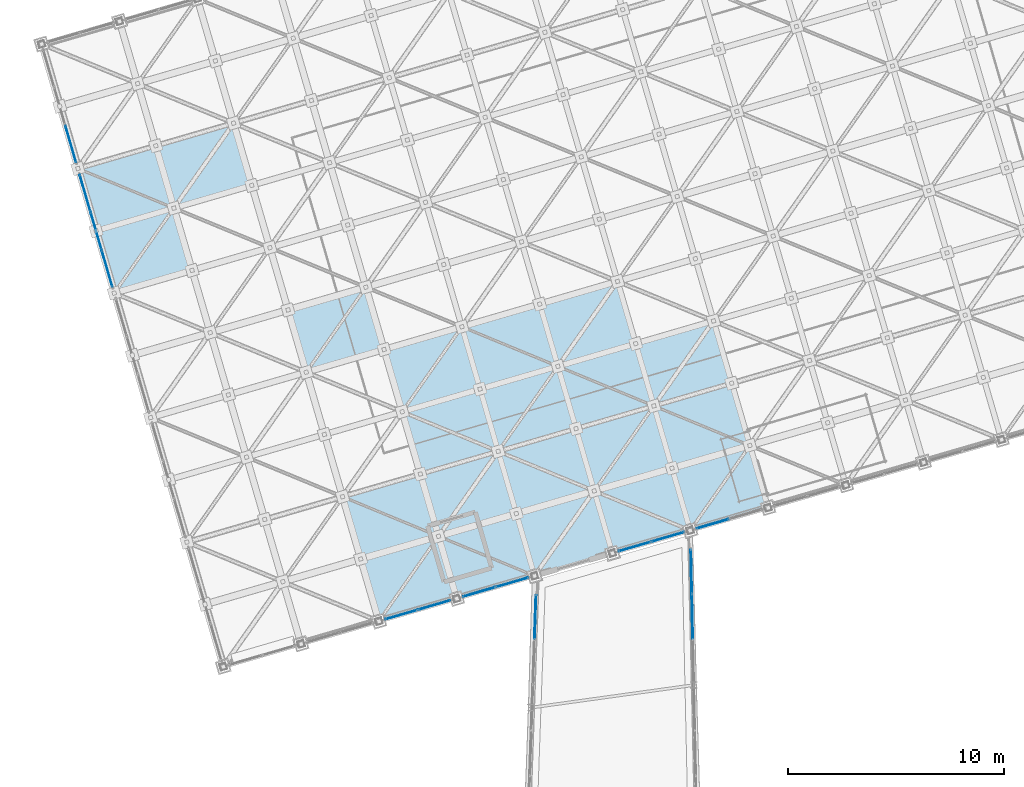
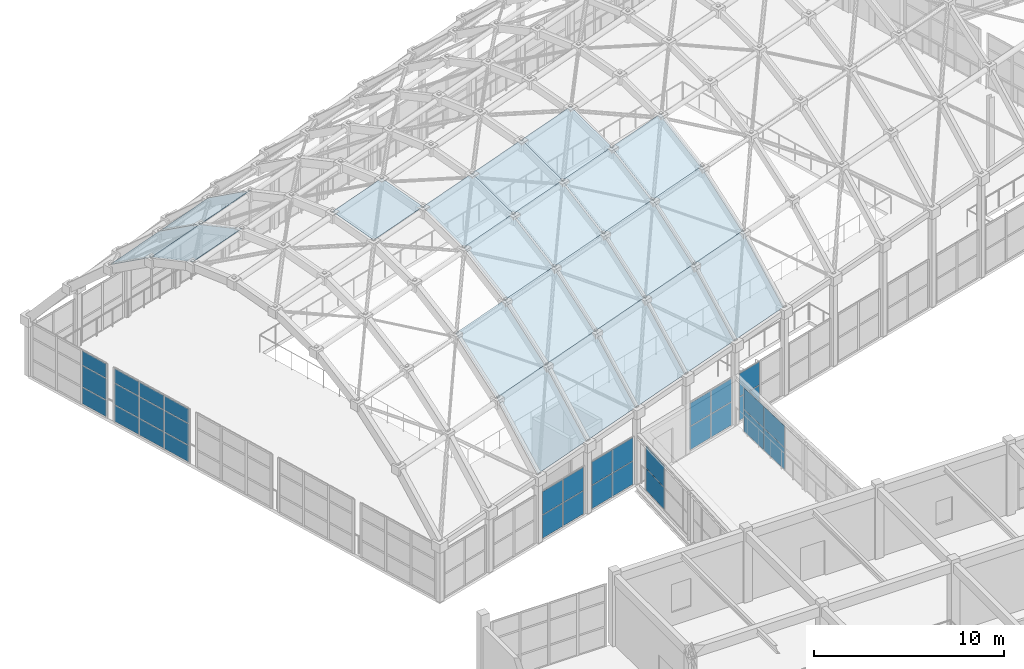
# One storey, part 200 of 248: 53 plates, 8 elements without a shape of their own.
"""IFC4 building model written with IfcOpenShell, lengths in metres."""

from ifc_helpers import new_model, si_unit, direction, frame, origin, origin_2d, place, context, subcontext, project, spatial, polyline, rectangle, outline, extrude, material, layer, layer_set, type_object, element, aggregate, save


model = new_model("IFC4")

# Units and contexts
model_context = context("Model", 3, precision=1e-05, world=origin(), true_north=direction((0.0, 1.0)))
body_context = subcontext(model_context, "Body", "Model", "MODEL_VIEW")
ifc_project = project(units=[si_unit("LENGTHUNIT", "METRE"), si_unit("AREAUNIT", "SQUARE_METRE"), si_unit("VOLUMEUNIT", "CUBIC_METRE"), si_unit("PLANEANGLEUNIT", "RADIAN"), si_unit("MASSUNIT", "GRAM", prefix="KILO")], contexts=[model_context])

# Site, building, storey
site_placement = place(None, origin())
site = spatial("IfcSite", under=ifc_project, at=site_placement, CompositionType="ELEMENT")
building_placement = place(site_placement, origin())
building = spatial("IfcBuilding", under=site, at=building_placement, Name="Canggui Botanical Conservatory", CompositionType="ELEMENT")
storey_placement = place(building_placement, frame((0.0, 0.0, 5.39990234375)))
storey = spatial("IfcBuildingStorey", under=building, at=storey_placement, Name="L02", CompositionType="ELEMENT", Elevation=5.39990234375)

# Curtain wall, plates
ifc_material_1 = material(Name="Thermally Broken Aluminium", Category="aluminium")
ifc_layer_1 = layer(ifc_material_1, 0.14990234375, Name="Thermally Broken Aluminium", Category="aluminium")
ifc_layer_set_1 = layer_set([ifc_layer_1], Name="Thermally Broken Aluminium")
curtain_wall_type_1 = type_object("IfcCurtainWallType", Name="CW-UNIT-C", PredefinedType="USERDEFINED", material=ifc_layer_set_1)
curtain_wall_1_placement = place(storey_placement, origin())
curtain_wall_1 = element("IfcCurtainWall", 1, at=curtain_wall_1_placement, inside=storey, type_object=curtain_wall_type_1, Name="Facade Curtain Wall CW-CONS-GABLE-L02-S-04", ObjectType="UNITISED CURTAIN WALL", PredefinedType="USERDEFINED")
ifc_material_2 = material(Name="Low-E Insulated Glass", Category="glass")
ifc_layer_2 = layer(ifc_material_2, 0.033935546875, Name="Low-E Insulated Glass", Category="glass")
ifc_layer_set_2 = layer_set([ifc_layer_2], Name="Low-E Insulated Glass")
plate_type_1 = type_object("IfcPlateType", Name="CWP-03", PredefinedType="CURTAIN_PANEL", material=ifc_layer_set_2)
plate_1_placement = place(storey_placement, frame((14.629150390625, 60.414306640625, 0.054931640625), z_axis=(0.0, 0.0, 1.0), x_axis=(-0.279999999995, 0.960000000002, 0.0)))
plate_1 = element("IfcPlate", 2, at=plate_1_placement, type_object=plate_type_1, Name="CW-03 panel 1.1", PredefinedType="CURTAIN_PANEL", context=body_context, shape_type="SweptSolid", body=[
    extrude(rectangle(XDim=1.743408203125, YDim=0.033935546875, at=origin_2d()), origin(), (0.0, 0.0, 1.0), 1.03759765625),
])
plate_2_placement = place(storey_placement, frame((14.629150390625, 60.414306640625, 1.1474609375), z_axis=(0.0, 0.0, 1.0), x_axis=(-0.279999999995, 0.960000000002, 0.0)))
plate_2 = element("IfcPlate", 3, at=plate_2_placement, type_object=plate_type_1, Name="CW-03 panel 1.2", PredefinedType="CURTAIN_PANEL", context=body_context, shape_type="SweptSolid", body=[
    extrude(rectangle(XDim=1.743408203125, YDim=0.033935546875, at=origin_2d()), origin(), (0.0, 0.0, 1.0), 1.344970703125),
])
plate_3_placement = place(storey_placement, frame((14.629150390625, 60.414306640625, 2.547607421875), z_axis=(0.0, 0.0, 1.0), x_axis=(-0.279999999995, 0.960000000002, 0.0)))
plate_3 = element("IfcPlate", 4, at=plate_3_placement, type_object=plate_type_1, Name="CW-03 panel 1.3", PredefinedType="CURTAIN_PANEL", context=body_context, shape_type="SweptSolid", body=[
    extrude(rectangle(XDim=1.743408203125, YDim=0.033935546875, at=origin_2d()), origin(), (0.0, 0.0, 1.0), 0.8974609375),
])
plate_4_placement = place(storey_placement, frame((14.1201171875, 62.159912109375, 0.054931640625), z_axis=(0.0, 0.0, 1.0), x_axis=(-0.279999999995, 0.960000000002, 0.0)))
plate_4 = element("IfcPlate", 5, at=plate_4_placement, type_object=plate_type_1, Name="CW-03 panel 2.1", PredefinedType="CURTAIN_PANEL", context=body_context, shape_type="SweptSolid", body=[
    extrude(rectangle(XDim=1.7734375, YDim=0.033935546875, at=origin_2d()), origin(), (0.0, 0.0, 1.0), 1.03759765625),
])
plate_5_placement = place(storey_placement, frame((14.1201171875, 62.159912109375, 1.1474609375), z_axis=(0.0, 0.0, 1.0), x_axis=(-0.279999999995, 0.960000000002, 0.0)))
plate_5 = element("IfcPlate", 6, at=plate_5_placement, type_object=plate_type_1, Name="CW-03 panel 2.2", PredefinedType="CURTAIN_PANEL", context=body_context, shape_type="SweptSolid", body=[
    extrude(rectangle(XDim=1.7734375, YDim=0.033935546875, at=origin_2d()), origin(), (0.0, 0.0, 1.0), 1.344970703125),
])
plate_6_placement = place(storey_placement, frame((14.1201171875, 62.159912109375, 2.547607421875), z_axis=(0.0, 0.0, 1.0), x_axis=(-0.279999999995, 0.960000000002, 0.0)))
plate_6 = element("IfcPlate", 7, at=plate_6_placement, type_object=plate_type_1, Name="CW-03 panel 2.3", PredefinedType="CURTAIN_PANEL", context=body_context, shape_type="SweptSolid", body=[
    extrude(rectangle(XDim=1.7734375, YDim=0.033935546875, at=origin_2d()), origin(), (0.0, 0.0, 1.0), 0.8974609375),
])
plate_7_placement = place(storey_placement, frame((13.61083984375, 63.905517578125, 0.054931640625), z_axis=(0.0, 0.0, 1.0), x_axis=(-0.279999999995, 0.960000000002, 0.0)))
plate_7 = element("IfcPlate", 8, at=plate_7_placement, type_object=plate_type_1, Name="CW-03 panel 3.1", PredefinedType="CURTAIN_PANEL", context=body_context, shape_type="SweptSolid", body=[
    extrude(rectangle(XDim=1.743408203125, YDim=0.033935546875, at=origin_2d()), origin(), (0.0, 0.0, 1.0), 1.03759765625),
])
plate_8_placement = place(storey_placement, frame((13.61083984375, 63.905517578125, 1.1474609375), z_axis=(0.0, 0.0, 1.0), x_axis=(-0.279999999995, 0.960000000002, 0.0)))
plate_8 = element("IfcPlate", 9, at=plate_8_placement, type_object=plate_type_1, Name="CW-03 panel 3.2", PredefinedType="CURTAIN_PANEL", context=body_context, shape_type="SweptSolid", body=[
    extrude(rectangle(XDim=1.743408203125, YDim=0.033935546875, at=origin_2d()), origin(), (0.0, 0.0, 1.0), 1.344970703125),
])
plate_9_placement = place(storey_placement, frame((13.61083984375, 63.905517578125, 2.547607421875), z_axis=(0.0, 0.0, 1.0), x_axis=(-0.279999999995, 0.960000000002, 0.0)))
plate_9 = element("IfcPlate", 10, at=plate_9_placement, type_object=plate_type_1, Name="CW-03 panel 3.3", PredefinedType="CURTAIN_PANEL", context=body_context, shape_type="SweptSolid", body=[
    extrude(rectangle(XDim=1.743408203125, YDim=0.033935546875, at=origin_2d()), origin(), (0.0, 0.0, 1.0), 0.8974609375),
])
aggregate(curtain_wall_1, [plate_1, plate_2, plate_3, plate_4, plate_5, plate_6, plate_7, plate_8, plate_9])

curtain_wall_2_placement = place(storey_placement, origin())
curtain_wall_2 = element("IfcCurtainWall", 11, at=curtain_wall_2_placement, inside=storey, type_object=curtain_wall_type_1, Name="Facade Curtain Wall CW-CONS-GABLE-L02-S-05", ObjectType="UNITISED CURTAIN WALL", PredefinedType="USERDEFINED")
plate_10_placement = place(storey_placement, frame((12.94921875, 66.17431640625, 0.054931640625), z_axis=(0.0, 0.0, 1.0), x_axis=(-0.279999999995, 0.960000000002, 0.0)))
plate_10 = element("IfcPlate", 12, at=plate_10_placement, type_object=plate_type_1, Name="CW-03 panel 1.1", PredefinedType="CURTAIN_PANEL", context=body_context, shape_type="SweptSolid", body=[
    extrude(rectangle(XDim=1.743408203125, YDim=0.033935546875, at=origin_2d()), origin(), (0.0, 0.0, 1.0), 1.03759765625),
])
plate_11_placement = place(storey_placement, frame((12.94921875, 66.17431640625, 1.1474609375), z_axis=(0.0, 0.0, 1.0), x_axis=(-0.279999999995, 0.960000000002, 0.0)))
plate_11 = element("IfcPlate", 13, at=plate_11_placement, type_object=plate_type_1, Name="CW-03 panel 1.2", PredefinedType="CURTAIN_PANEL", context=body_context, shape_type="SweptSolid", body=[
    extrude(rectangle(XDim=1.743408203125, YDim=0.033935546875, at=origin_2d()), origin(), (0.0, 0.0, 1.0), 1.344970703125),
])
plate_12_placement = place(storey_placement, frame((12.94921875, 66.17431640625, 2.547607421875), z_axis=(0.0, 0.0, 1.0), x_axis=(-0.279999999995, 0.960000000002, 0.0)))
plate_12 = element("IfcPlate", 14, at=plate_12_placement, type_object=plate_type_1, Name="CW-03 panel 1.3", PredefinedType="CURTAIN_PANEL", context=body_context, shape_type="SweptSolid", body=[
    extrude(rectangle(XDim=1.743408203125, YDim=0.033935546875, at=origin_2d()), origin(), (0.0, 0.0, 1.0), 0.8974609375),
])
aggregate(curtain_wall_2, [plate_10, plate_11, plate_12])

ifc_layer_3 = layer(ifc_material_1, 0.135009765625, Name="Thermally Broken Aluminium", Category="aluminium")
ifc_layer_set_3 = layer_set([ifc_layer_3], Name="Thermally Broken Aluminium")
curtain_wall_type_2 = type_object("IfcCurtainWallType", Name="CW-STICK-A", PredefinedType="USERDEFINED", material=ifc_layer_set_3)
curtain_wall_3_placement = place(storey_placement, origin())
curtain_wall_3 = element("IfcCurtainWall", 15, at=curtain_wall_3_placement, inside=storey, type_object=curtain_wall_type_2, Name="Facade Curtain Wall CW-CONS-L02-V0-03", ObjectType="STICK GLAZED WALL", PredefinedType="USERDEFINED")
ifc_layer_4 = layer(ifc_material_2, 0.0380859375, Name="Low-E Insulated Glass", Category="glass")
ifc_layer_set_4 = layer_set([ifc_layer_4], Name="Low-E Insulated Glass")
plate_type_2 = type_object("IfcPlateType", Name="CWP-04", PredefinedType="CURTAIN_PANEL", material=ifc_layer_set_4)
plate_13_placement = place(storey_placement, frame((29.765625, 44.848388671875, 0.050048828125), z_axis=(0.0, 0.0, 1.0), x_axis=(-0.960000000002, -0.279999999995, 0.0)))
plate_13 = element("IfcPlate", 16, at=plate_13_placement, type_object=plate_type_2, Name="CW-04 panel 1.1", PredefinedType="CURTAIN_PANEL", context=body_context, shape_type="SweptSolid", body=[
    extrude(rectangle(XDim=1.534912109375, YDim=0.0380859375, at=origin_2d()), origin(), (0.0, 0.0, 1.0), 1.47509765625),
])
plate_14_placement = place(storey_placement, frame((29.765625, 44.848388671875, 1.574951171875), z_axis=(0.0, 0.0, 1.0), x_axis=(-0.960000000002, -0.279999999995, 0.0)))
plate_14 = element("IfcPlate", 17, at=plate_14_placement, type_object=plate_type_2, Name="CW-04 panel 1.2", PredefinedType="CURTAIN_PANEL", context=body_context, shape_type="SweptSolid", body=[
    extrude(rectangle(XDim=1.534912109375, YDim=0.0380859375, at=origin_2d()), origin(), (0.0, 0.0, 1.0), 1.47509765625),
])
plate_15_placement = place(storey_placement, frame((28.234375, 44.401611328125, 0.050048828125), z_axis=(0.0, 0.0, 1.0), x_axis=(-0.960000000002, -0.279999999995, 0.0)))
plate_15 = element("IfcPlate", 18, at=plate_15_placement, type_object=plate_type_2, Name="CW-04 panel 2.1", PredefinedType="CURTAIN_PANEL", context=body_context, shape_type="SweptSolid", body=[
    extrude(rectangle(XDim=1.534912109375, YDim=0.0380859375, at=origin_2d()), origin(), (0.0, 0.0, 1.0), 1.47509765625),
])
plate_16_placement = place(storey_placement, frame((28.234375, 44.401611328125, 1.574951171875), z_axis=(0.0, 0.0, 1.0), x_axis=(-0.960000000002, -0.279999999995, 0.0)))
plate_16 = element("IfcPlate", 19, at=plate_16_placement, type_object=plate_type_2, Name="CW-04 panel 2.2", PredefinedType="CURTAIN_PANEL", context=body_context, shape_type="SweptSolid", body=[
    extrude(rectangle(XDim=1.534912109375, YDim=0.0380859375, at=origin_2d()), origin(), (0.0, 0.0, 1.0), 1.47509765625),
])
aggregate(curtain_wall_3, [plate_13, plate_14, plate_15, plate_16])

curtain_wall_4_placement = place(storey_placement, origin())
curtain_wall_4 = element("IfcCurtainWall", 20, at=curtain_wall_4_placement, inside=storey, type_object=curtain_wall_type_2, Name="Facade Curtain Wall CW-CONS-L02-V0-04", ObjectType="STICK GLAZED WALL", PredefinedType="USERDEFINED")
plate_17_placement = place(storey_placement, frame((33.365478515625, 45.898193359375, 0.050048828125), z_axis=(0.0, 0.0, 1.0), x_axis=(-0.960000000002, -0.279999999995, 0.0)))
plate_17 = element("IfcPlate", 21, at=plate_17_placement, type_object=plate_type_2, Name="CW-04 panel 1.1", PredefinedType="CURTAIN_PANEL", context=body_context, shape_type="SweptSolid", body=[
    extrude(rectangle(XDim=1.534912109375, YDim=0.0380859375, at=origin_2d()), origin(), (0.0, 0.0, 1.0), 1.47509765625),
])
plate_18_placement = place(storey_placement, frame((33.365478515625, 45.898193359375, 1.574951171875), z_axis=(0.0, 0.0, 1.0), x_axis=(-0.960000000002, -0.279999999995, 0.0)))
plate_18 = element("IfcPlate", 22, at=plate_18_placement, type_object=plate_type_2, Name="CW-04 panel 1.2", PredefinedType="CURTAIN_PANEL", context=body_context, shape_type="SweptSolid", body=[
    extrude(rectangle(XDim=1.534912109375, YDim=0.0380859375, at=origin_2d()), origin(), (0.0, 0.0, 1.0), 1.47509765625),
])
plate_19_placement = place(storey_placement, frame((31.83447265625, 45.45166015625, 0.050048828125), z_axis=(0.0, 0.0, 1.0), x_axis=(-0.960000000002, -0.279999999995, 0.0)))
plate_19 = element("IfcPlate", 23, at=plate_19_placement, type_object=plate_type_2, Name="CW-04 panel 2.1", PredefinedType="CURTAIN_PANEL", context=body_context, shape_type="SweptSolid", body=[
    extrude(rectangle(XDim=1.534912109375, YDim=0.0380859375, at=origin_2d()), origin(), (0.0, 0.0, 1.0), 1.47509765625),
])
plate_20_placement = place(storey_placement, frame((31.83447265625, 45.45166015625, 1.574951171875), z_axis=(0.0, 0.0, 1.0), x_axis=(-0.960000000002, -0.279999999995, 0.0)))
plate_20 = element("IfcPlate", 24, at=plate_20_placement, type_object=plate_type_2, Name="CW-04 panel 2.2", PredefinedType="CURTAIN_PANEL", context=body_context, shape_type="SweptSolid", body=[
    extrude(rectangle(XDim=1.534912109375, YDim=0.0380859375, at=origin_2d()), origin(), (0.0, 0.0, 1.0), 1.47509765625),
])
aggregate(curtain_wall_4, [plate_17, plate_18, plate_19, plate_20])

curtain_wall_5_placement = place(storey_placement, origin())
curtain_wall_5 = element("IfcCurtainWall", 25, at=curtain_wall_5_placement, inside=storey, type_object=curtain_wall_type_2, Name="Facade Curtain Wall CW-CONS-L02-V0-06", ObjectType="STICK GLAZED WALL", PredefinedType="USERDEFINED")
plate_21_placement = place(storey_placement, frame((40.565673828125, 47.998291015625, 0.050048828125), z_axis=(0.0, 0.0, 1.0), x_axis=(-0.960000000002, -0.279999999995, 0.0)))
plate_21 = element("IfcPlate", 26, at=plate_21_placement, type_object=plate_type_2, Name="CW-04 panel 1.1", PredefinedType="CURTAIN_PANEL", context=body_context, shape_type="SweptSolid", body=[
    extrude(rectangle(XDim=1.534912109375, YDim=0.0380859375, at=origin_2d()), origin(), (0.0, 0.0, 1.0), 1.47509765625),
])
plate_22_placement = place(storey_placement, frame((40.565673828125, 47.998291015625, 1.574951171875), z_axis=(0.0, 0.0, 1.0), x_axis=(-0.960000000002, -0.279999999995, 0.0)))
plate_22 = element("IfcPlate", 27, at=plate_22_placement, type_object=plate_type_2, Name="CW-04 panel 1.2", PredefinedType="CURTAIN_PANEL", context=body_context, shape_type="SweptSolid", body=[
    extrude(rectangle(XDim=1.534912109375, YDim=0.0380859375, at=origin_2d()), origin(), (0.0, 0.0, 1.0), 1.47509765625),
])
plate_23_placement = place(storey_placement, frame((39.034423828125, 47.5517578125, 0.050048828125), z_axis=(0.0, 0.0, 1.0), x_axis=(-0.960000000002, -0.279999999995, 0.0)))
plate_23 = element("IfcPlate", 28, at=plate_23_placement, type_object=plate_type_2, Name="CW-04 panel 2.1", PredefinedType="CURTAIN_PANEL", context=body_context, shape_type="SweptSolid", body=[
    extrude(rectangle(XDim=1.534912109375, YDim=0.0380859375, at=origin_2d()), origin(), (0.0, 0.0, 1.0), 1.47509765625),
])
plate_24_placement = place(storey_placement, frame((39.034423828125, 47.5517578125, 1.574951171875), z_axis=(0.0, 0.0, 1.0), x_axis=(-0.960000000002, -0.279999999995, 0.0)))
plate_24 = element("IfcPlate", 29, at=plate_24_placement, type_object=plate_type_2, Name="CW-04 panel 2.2", PredefinedType="CURTAIN_PANEL", context=body_context, shape_type="SweptSolid", body=[
    extrude(rectangle(XDim=1.534912109375, YDim=0.0380859375, at=origin_2d()), origin(), (0.0, 0.0, 1.0), 1.47509765625),
])
aggregate(curtain_wall_5, [plate_21, plate_22, plate_23, plate_24])

curtain_wall_6_placement = place(storey_placement, origin())
curtain_wall_6 = element("IfcCurtainWall", 30, at=curtain_wall_6_placement, inside=storey, type_object=curtain_wall_type_2, Name="Facade Curtain Wall CW-CONS-L02-V0-07", ObjectType="STICK GLAZED WALL", PredefinedType="USERDEFINED")
plate_25_placement = place(storey_placement, frame((42.634521484375, 48.601806640625, 0.050048828125), z_axis=(0.0, 0.0, 1.0), x_axis=(-0.960000000002, -0.279999999995, 0.0)))
plate_25 = element("IfcPlate", 31, at=plate_25_placement, type_object=plate_type_2, Name="CW-04 panel 2.1", PredefinedType="CURTAIN_PANEL", context=body_context, shape_type="SweptSolid", body=[
    extrude(rectangle(XDim=1.534912109375, YDim=0.0380859375, at=origin_2d()), origin(), (0.0, 0.0, 1.0), 1.47509765625),
])
plate_26_placement = place(storey_placement, frame((42.634521484375, 48.601806640625, 1.574951171875), z_axis=(0.0, 0.0, 1.0), x_axis=(-0.960000000002, -0.279999999995, 0.0)))
plate_26 = element("IfcPlate", 32, at=plate_26_placement, type_object=plate_type_2, Name="CW-04 panel 2.2", PredefinedType="CURTAIN_PANEL", context=body_context, shape_type="SweptSolid", body=[
    extrude(rectangle(XDim=1.534912109375, YDim=0.0380859375, at=origin_2d()), origin(), (0.0, 0.0, 1.0), 1.47509765625),
])
aggregate(curtain_wall_6, [plate_25, plate_26])

ifc_layer_5 = layer(ifc_material_1, 0.1201171875, Name="Thermally Broken Aluminium", Category="aluminium")
ifc_layer_set_5 = layer_set([ifc_layer_5], Name="Thermally Broken Aluminium")
curtain_wall_type_3 = type_object("IfcCurtainWallType", Name="CW-STICK-B", PredefinedType="USERDEFINED", material=ifc_layer_set_5)
curtain_wall_7_placement = place(storey_placement, origin())
curtain_wall_7 = element("IfcCurtainWall", 33, at=curtain_wall_7_placement, inside=storey, type_object=curtain_wall_type_3, Name="Facade Curtain Wall CW-SB-02-1", ObjectType="STICK GLAZED WALL", PredefinedType="USERDEFINED")
ifc_layer_6 = layer(ifc_material_2, 0.0419921875, Name="Low-E Insulated Glass", Category="glass")
ifc_layer_set_6 = layer_set([ifc_layer_6], Name="Low-E Insulated Glass")
plate_type_3 = type_object("IfcPlateType", Name="CWP-05", PredefinedType="CURTAIN_PANEL", material=ifc_layer_set_6)
plate_27_placement = place(storey_placement, frame((34.435546875, 44.29248046875, 0.044921875), z_axis=(0.0, 0.0, 1.0), x_axis=(0.035205780606, 0.999380084358, 0.0)))
plate_27 = element("IfcPlate", 34, at=plate_27_placement, type_object=plate_type_3, Name="CW-05 panel 5.1", PredefinedType="CURTAIN_PANEL", context=body_context, shape_type="SweptSolid", body=[
    extrude(rectangle(XDim=2.0205078125, YDim=0.0419921875, at=origin_2d()), origin(), (0.0, 0.0, 1.0), 1.382568359375),
])
plate_28_placement = place(storey_placement, frame((34.435546875, 44.29248046875, 1.47265625), z_axis=(0.0, 0.0, 1.0), x_axis=(0.035205780606, 0.999380084358, 0.0)))
plate_28 = element("IfcPlate", 35, at=plate_28_placement, type_object=plate_type_3, Name="CW-05 panel 5.2", PredefinedType="CURTAIN_PANEL", context=body_context, shape_type="SweptSolid", body=[
    extrude(rectangle(XDim=2.0205078125, YDim=0.0419921875, at=origin_2d()), origin(), (0.0, 0.0, 1.0), 1.382568359375),
])
aggregate(curtain_wall_7, [plate_27, plate_28])

curtain_wall_8_placement = place(storey_placement, origin())
curtain_wall_8 = element("IfcCurtainWall", 36, at=curtain_wall_8_placement, inside=storey, type_object=curtain_wall_type_3, Name="Facade Curtain Wall CW-SB-02-2", ObjectType="STICK GLAZED WALL", PredefinedType="USERDEFINED")
plate_29_placement = place(storey_placement, frame((41.69921875, 44.30517578125, 0.044921875), z_axis=(0.0, 0.0, 1.0), x_axis=(-0.021853396804, 0.999761186008, 0.0)))
plate_29 = element("IfcPlate", 37, at=plate_29_placement, type_object=plate_type_3, Name="CW-05 panel 5.1", PredefinedType="CURTAIN_PANEL", context=body_context, shape_type="SweptSolid", body=[
    extrude(rectangle(XDim=2.046875, YDim=0.0419921875, at=origin_2d()), origin(), (0.0, 0.0, 1.0), 1.382568359375),
])
plate_30_placement = place(storey_placement, frame((41.69921875, 44.30517578125, 1.47265625), z_axis=(0.0, 0.0, 1.0), x_axis=(-0.021853396804, 0.999761186008, 0.0)))
plate_30 = element("IfcPlate", 38, at=plate_30_placement, type_object=plate_type_3, Name="CW-05 panel 5.2", PredefinedType="CURTAIN_PANEL", context=body_context, shape_type="SweptSolid", body=[
    extrude(rectangle(XDim=2.046875, YDim=0.0419921875, at=origin_2d()), origin(), (0.0, 0.0, 1.0), 1.382568359375),
])
plate_31_placement = place(storey_placement, frame((41.653564453125, 46.392822265625, 0.044921875), z_axis=(0.0, 0.0, 1.0), x_axis=(-0.021853396804, 0.999761186008, 0.0)))
plate_31 = element("IfcPlate", 39, at=plate_31_placement, type_object=plate_type_3, Name="CW-05 panel 6.1", PredefinedType="CURTAIN_PANEL", context=body_context, shape_type="SweptSolid", body=[
    extrude(rectangle(XDim=2.019287109375, YDim=0.0419921875, at=origin_2d()), origin(), (0.0, 0.0, 1.0), 1.382568359375),
])
plate_32_placement = place(storey_placement, frame((41.653564453125, 46.392822265625, 1.47265625), z_axis=(0.0, 0.0, 1.0), x_axis=(-0.021853396804, 0.999761186008, 0.0)))
plate_32 = element("IfcPlate", 40, at=plate_32_placement, type_object=plate_type_3, Name="CW-05 panel 6.2", PredefinedType="CURTAIN_PANEL", context=body_context, shape_type="SweptSolid", body=[
    extrude(rectangle(XDim=2.019287109375, YDim=0.0419921875, at=origin_2d()), origin(), (0.0, 0.0, 1.0), 1.382568359375),
])
aggregate(curtain_wall_8, [plate_29, plate_30, plate_31, plate_32])

# Plates
ifc_layer_7 = layer(ifc_material_2, 0.028076171875, Name="Low-E Insulated Glass", Category="glass")
ifc_layer_set_7 = layer_set([ifc_layer_7], Name="Low-E Insulated Glass")
plate_type_4 = type_object("IfcPlateType", Name="PLT-GS-GLAZ-28", PredefinedType="SHEET", material=ifc_layer_set_7)
plate_33_placement = place(storey_placement, frame((14.9599609375, 59.280029296875, 13.0810546875), z_axis=(-0.159809493814, 0.326055325033, 0.93174505671), x_axis=(0.957871588402, 0.279386560771, 0.066521949704)))
element("IfcPlate", 41, at=plate_33_placement, inside=storey, type_object=plate_type_4, Name="Conservatory Stepped-Arch Roof Glazing Panel 1-7", PredefinedType="SHEET", context=body_context, shape_type="SweptSolid", body=[
    extrude(outline(polyline([(0.0, 0.0), (3.7584312785526452, 8.326672684688674e-17), (3.6817118392130244, 3.21253137351899), (-0.07648558397135871, 3.21247311492256), (0.0, 0.0)])), origin(), (0.0, 0.0, -1.0), 0.028076171875),
])
plate_34_placement = place(storey_placement, frame((23.840087890625, 55.6201171875, 13.5810546875), z_axis=(-0.027871083236, -0.140105800642, 0.989744192883), x_axis=(0.957884595973, 0.279343125159, 0.066517059642)))
element("IfcPlate", 42, at=plate_34_placement, inside=storey, type_object=plate_type_4, Name="Conservatory Stepped-Arch Roof Glazing Panel 3-5", PredefinedType="SHEET", context=body_context, shape_type="SweptSolid", body=[
    extrude(outline(polyline([(0.0, 0.0), (3.7581292175009353, 2.498001805406602e-16), (3.783744249769105, 3.0244493980450486), (0.025312974719065306, 3.0242872601160986), (0.0, 0.0)])), origin(), (0.0, 0.0, -1.0), 0.028076171875),
])
plate_35_placement = place(storey_placement, frame((28.280029296875, 53.7900390625, 12.67919921875), z_axis=(0.040545841784, -0.360840794112, 0.931745649852), x_axis=(0.957867112999, 0.279401777977, 0.066522479646)))
element("IfcPlate", 43, at=plate_35_placement, inside=storey, type_object=plate_type_4, Name="Conservatory Stepped-Arch Roof Glazing Panel 4-4", PredefinedType="SHEET", context=body_context, shape_type="SweptSolid", body=[
    extrude(outline(polyline([(0.0, 0.0), (3.758197423683309, 1.5265566588595902e-16), (3.835007375651945, 3.2124653757340846), (0.07657609769300154, 3.212534793560152), (0.0, 0.0)])), origin(), (0.0, 0.0, -1.0), 0.028076171875),
])
plate_36_placement = place(storey_placement, frame((31.8798828125, 54.840087890625, 12.92919921875), z_axis=(0.040530637758, -0.360831619611, 0.931749864337), x_axis=(0.957889271817, 0.279329682868, 0.066506174198)))
element("IfcPlate", 44, at=plate_36_placement, inside=storey, type_object=plate_type_4, Name="Conservatory Stepped-Arch Roof Glazing Panel 5-4", PredefinedType="SHEET", context=body_context, shape_type="SweptSolid", body=[
    extrude(outline(polyline([(0.0, 0.0), (3.75836307639819, 1.1102230246251565e-16), (3.8347623474781347, 3.2127578651306954), (0.0765649350420906, 3.21247122436261), (0.0, 0.0)])), origin(), (0.0, 0.0, -1.0), 0.028076171875),
])
plate_37_placement = place(storey_placement, frame((35.47998046875, 55.889892578125, 13.17919921875), z_axis=(0.040536337233, -0.360815364334, 0.93175591129), x_axis=(0.957872417874, 0.27938486839, 0.066517113516)))
element("IfcPlate", 45, at=plate_37_placement, inside=storey, type_object=plate_type_4, Name="Conservatory Stepped-Arch Roof Glazing Panel 6-4", PredefinedType="SHEET", context=body_context, shape_type="SweptSolid", body=[
    extrude(outline(polyline([(0.0, 0.0), (3.7584312786032728, -1.249000902703301e-16), (3.835016250296977, 3.212753444180213), (0.0765849716937042, 3.2127534441802124), (0.0, 0.0)])), origin(), (0.0, 0.0, -1.0), 0.028076171875),
])
ifc_layer_8 = layer(ifc_material_2, 0.031982421875, Name="Low-E Insulated Glass", Category="glass")
ifc_layer_set_8 = layer_set([ifc_layer_8], Name="Low-E Insulated Glass")
plate_type_5 = type_object("IfcPlateType", Name="PLT-GS-GLAZ-32", PredefinedType="SHEET", material=ifc_layer_set_8)
plate_38_placement = place(storey_placement, frame((14.1201171875, 62.159912109375, 11.92919921875), z_axis=(-0.204535290087, 0.500988862711, 0.840937259579), x_axis=(0.957867059601, 0.279402253194, 0.066521252562)))
element("IfcPlate", 46, at=plate_38_placement, inside=storey, type_object=plate_type_5, Name="Conservatory Stepped-Arch Roof Glazing Panel 1-8", PredefinedType="SHEET", context=body_context, shape_type="SweptSolid", body=[
    extrude(outline(polyline([(0.0, 0.0), (3.758197423686568, 1.6653345369377348e-16), (3.630487017787854, 3.5597200044214476), (-0.12771040589871432, 3.5597200044214476), (0.0, 0.0)])), origin(), (0.0, 0.0, -1.0), 0.031982421875),
])
plate_39_placement = place(storey_placement, frame((17.719970703125, 63.2099609375, 12.17919921875), z_axis=(-0.204510654539, 0.501012062835, 0.840929429307), x_axis=(0.95787574588, 0.279376715758, 0.066503429584)))
element("IfcPlate", 47, at=plate_39_placement, inside=storey, type_object=plate_type_5, Name="Conservatory Stepped-Arch Roof Glazing Panel 2-8", PredefinedType="SHEET", context=body_context, shape_type="SweptSolid", body=[
    extrude(outline(polyline([(0.0, 0.0), (3.7584312781056726, -8.326672684688674e-17), (3.630606039782273, 3.5595183536506787), (-0.12775703111740433, 3.559718330839215), (0.0, 0.0)])), origin(), (0.0, 0.0, -1.0), 0.031982421875),
])
plate_40_placement = place(storey_placement, frame((27.199951171875, 44.10009765625, 4.364990234375), z_axis=(0.169321110294, -0.736504950111, 0.654897564563), x_axis=(0.95788481893, 0.279346647774, 0.066499052927)))
element("IfcPlate", 48, at=plate_40_placement, inside=storey, type_object=plate_type_5, Name="Conservatory Stepped-Arch Roof Glazing Panel 3-1", PredefinedType="SHEET", context=body_context, shape_type="SweptSolid", body=[
    extrude(outline(polyline([(0.0, 0.0), (3.758363075090937, 2.220446049250313e-16), (3.988033811195505, 4.570825338364294), (0.22983639483776006, 4.570618312714262), (0.0, 0.0)])), origin(), (0.0, 0.0, -1.0), 0.031982421875),
])
plate_41_placement = place(storey_placement, frame((26.360107421875, 46.97998046875, 7.821044921875), z_axis=(0.139000134515, -0.653723315897, 0.743858043485), x_axis=(0.957870638965, 0.279385420882, 0.066540405824)))
element("IfcPlate", 49, at=plate_41_placement, inside=storey, type_object=plate_type_5, Name="Conservatory Stepped-Arch Roof Glazing Panel 3-2", PredefinedType="SHEET", context=body_context, shape_type="SweptSolid", body=[
    extrude(outline(polyline([(0.0, 0.0), (3.758197422440752, 8.326672684688674e-17), (3.9371928557433042, 4.023966222991576), (0.17882978749735595, 4.024199277864952), (0.0, 0.0)])), origin(), (0.0, 0.0, -1.0), 0.031982421875),
])
plate_42_placement = place(storey_placement, frame((30.800048828125, 45.14990234375, 4.614990234375), z_axis=(0.169339740779, -0.736486890877, 0.654913056642), x_axis=(0.957867991041, 0.279398202271, 0.066524854806)))
element("IfcPlate", 50, at=plate_42_placement, inside=storey, type_object=plate_type_5, Name="Conservatory Stepped-Arch Roof Glazing Panel 4-1", PredefinedType="SHEET", context=body_context, shape_type="SweptSolid", body=[
    extrude(outline(polyline([(0.0, 0.0), (3.758197423629719, 2.7755575615628914e-17), (3.988353807333971, 4.570756046009758), (0.22992252921425219, 4.570812680827666), (0.0, 0.0)])), origin(), (0.0, 0.0, -1.0), 0.031982421875),
])
plate_43_placement = place(storey_placement, frame((29.9599609375, 48.030029296875, 8.071044921875), z_axis=(0.13902569394, -0.653731993878, 0.743845640308), x_axis=(0.957871790124, 0.27938782027, 0.066513754738)))
element("IfcPlate", 51, at=plate_43_placement, inside=storey, type_object=plate_type_5, Name="Conservatory Stepped-Arch Roof Glazing Panel 4-2", PredefinedType="SHEET", context=body_context, shape_type="SweptSolid", body=[
    extrude(outline(polyline([(0.0, 0.0), (3.758431278564957, 0.0), (3.9371271618050607, 4.024030499246996), (0.1789297386576144, 4.023969145833528), (0.0, 0.0)])), origin(), (0.0, 0.0, -1.0), 0.031982421875),
])
plate_44_placement = place(storey_placement, frame((29.1201171875, 50.909912109375, 10.759033203125), z_axis=(0.096892229581, -0.532386898682, 0.840937623108), x_axis=(0.957867059601, 0.279402253194, 0.066521252562)))
element("IfcPlate", 52, at=plate_44_placement, inside=storey, type_object=plate_type_5, Name="Conservatory Stepped-Arch Roof Glazing Panel 4-3", PredefinedType="SHEET", context=body_context, shape_type="SweptSolid", body=[
    extrude(outline(polyline([(0.0, 0.0), (3.758197423686568, 5.551115123125783e-17), (3.885950714761685, 3.559718465591418), (0.12775329107511724, 3.559718465591418), (0.0, 0.0)])), origin(), (0.0, 0.0, -1.0), 0.031982421875),
])
plate_45_placement = place(storey_placement, frame((34.39990234375, 46.199951171875, 4.864990234375), z_axis=(0.169321110294, -0.736504950111, 0.654897564563), x_axis=(0.957875537202, 0.279371300839, 0.066529177786)))
element("IfcPlate", 53, at=plate_45_placement, inside=storey, type_object=plate_type_5, Name="Conservatory Stepped-Arch Roof Glazing Panel 5-1", PredefinedType="SHEET", context=body_context, shape_type="SweptSolid", body=[
    extrude(outline(polyline([(0.0, 0.0), (3.758431277965551, 1.1102230246251565e-16), (3.9882167227738003, 4.570665742018224), (0.23008750702456807, 4.570759513236222), (0.0, 0.0)])), origin(), (0.0, 0.0, -1.0), 0.031982421875),
])
plate_46_placement = place(storey_placement, frame((33.56005859375, 49.080078125, 8.321044921875), z_axis=(0.139000134515, -0.653723315897, 0.743858043485), x_axis=(0.957882120071, 0.279353290398, 0.066510023249)))
element("IfcPlate", 54, at=plate_46_placement, inside=storey, type_object=plate_type_5, Name="Conservatory Stepped-Arch Roof Glazing Panel 5-2", PredefinedType="SHEET", context=body_context, shape_type="SweptSolid", body=[
    extrude(outline(polyline([(0.0, 0.0), (3.7581292170316254, 1.6653345369377348e-16), (3.937009009452368, 4.0241460965755325), (0.1785777329943592, 4.024035743774611), (0.0, 0.0)])), origin(), (0.0, 0.0, -1.0), 0.031982421875),
])
plate_47_placement = place(storey_placement, frame((32.719970703125, 51.9599609375, 11.009033203125), z_axis=(0.096874344437, -0.532407400901, 0.840926703616), x_axis=(0.957874093178, 0.279375661994, 0.066531654907)))
element("IfcPlate", 55, at=plate_47_placement, inside=storey, type_object=plate_type_5, Name="Conservatory Stepped-Arch Roof Glazing Panel 5-3", PredefinedType="SHEET", context=body_context, shape_type="SweptSolid", body=[
    extrude(outline(polyline([(0.0, 0.0), (3.758431278041356, 2.220446049250313e-16), (3.886053841543421, 3.5595256260252115), (0.1276907704507948, 3.5597207082257003), (0.0, 0.0)])), origin(), (0.0, 0.0, -1.0), 0.031982421875),
])
plate_48_placement = place(storey_placement, frame((38.0, 47.25, 5.114990234375), z_axis=(0.169342484367, -0.736509705801, 0.654886689626), x_axis=(0.957872417874, 0.27938486839, 0.066517113516)))
element("IfcPlate", 56, at=plate_48_placement, inside=storey, type_object=plate_type_5, Name="Conservatory Stepped-Arch Roof Glazing Panel 6-1", PredefinedType="SHEET", context=body_context, shape_type="SweptSolid", body=[
    extrude(outline(polyline([(0.0, 0.0), (3.7584312786032728, 5.551115123125783e-17), (3.988216722097089, 4.570665742608702), (0.22978544349381666, 4.570665742608701), (0.0, 0.0)])), origin(), (0.0, 0.0, -1.0), 0.031982421875),
])
plate_49_placement = place(storey_placement, frame((37.159912109375, 50.1298828125, 8.571044921875), z_axis=(0.139015726574, -0.653704101407, 0.743872015584), x_axis=(0.957871790214, 0.279387819932, 0.06651375486)))
element("IfcPlate", 57, at=plate_49_placement, inside=storey, type_object=plate_type_5, Name="Conservatory Stepped-Arch Roof Glazing Panel 6-2", PredefinedType="SHEET", context=body_context, shape_type="SweptSolid", body=[
    extrude(outline(polyline([(0.0, 0.0), (3.758431278564963, -2.7755575615628914e-17), (3.9371953710014402, 4.024202197851964), (0.1789979478540102, 4.02414084309242), (0.0, 0.0)])), origin(), (0.0, 0.0, -1.0), 0.031982421875),
])
plate_50_placement = place(storey_placement, frame((36.320068359375, 53.010009765625, 11.259033203125), z_axis=(0.096899955489, -0.532419520789, 0.84091607935), x_axis=(0.95786736459, 0.27940057745, 0.066523899275)))
element("IfcPlate", 58, at=plate_50_placement, inside=storey, type_object=plate_type_5, Name="Conservatory Stepped-Arch Roof Glazing Panel 6-3", PredefinedType="SHEET", context=body_context, shape_type="SweptSolid", body=[
    extrude(outline(polyline([(0.0, 0.0), (3.758197423667953, -8.326672684688674e-17), (3.88611635560281, 3.5594573761208164), (0.12768507759779904, 3.559523384680565), (0.0, 0.0)])), origin(), (0.0, 0.0, -1.0), 0.031982421875),
])
plate_51_placement = place(storey_placement, frame((41.60009765625, 48.300048828125, 5.364990234375), z_axis=(0.169348866185, -0.736511125663, 0.654883442528), x_axis=(0.957867991141, 0.27939820192, 0.066524854838)))
element("IfcPlate", 59, at=plate_51_placement, inside=storey, type_object=plate_type_5, Name="Conservatory Stepped-Arch Roof Glazing Panel 7-1", PredefinedType="SHEET", context=body_context, shape_type="SweptSolid", body=[
    extrude(outline(polyline([(0.0, 0.0), (3.758197423629712, 2.7755575615628914e-17), (3.9882855938932553, 4.570605646368446), (0.2298543157735181, 4.57066227955986), (0.0, 0.0)])), origin(), (0.0, 0.0, -1.0), 0.031982421875),
])
plate_52_placement = place(storey_placement, frame((40.760009765625, 51.179931640625, 8.821044921875), z_axis=(0.139010291531, -0.6537022561, 0.743874652894), x_axis=(0.957872417874, 0.27938486839, 0.066517113516)))
element("IfcPlate", 60, at=plate_52_placement, inside=storey, type_object=plate_type_5, Name="Conservatory Stepped-Arch Roof Glazing Panel 7-2", PredefinedType="SHEET", context=body_context, shape_type="SweptSolid", body=[
    extrude(outline(polyline([(0.0, 0.0), (3.7584312786032728, -5.551115123125783e-17), (3.937195370961308, 4.024202197891229), (0.1787640923580353, 4.0242021978912295), (0.0, 0.0)])), origin(), (0.0, 0.0, -1.0), 0.031982421875),
])
plate_53_placement = place(storey_placement, frame((39.919921875, 54.06005859375, 11.509033203125), z_axis=(0.096899955489, -0.532419520789, 0.84091607935), x_axis=(0.957872112914, 0.279386544032, 0.066514466969)))
element("IfcPlate", 61, at=plate_53_placement, inside=storey, type_object=plate_type_5, Name="Conservatory Stepped-Arch Roof Glazing Panel 7-3", PredefinedType="SHEET", context=body_context, shape_type="SweptSolid", body=[
    extrude(outline(polyline([(0.0, 0.0), (3.7584312785846588, 1.6653345369377348e-16), (3.88605384098167, 3.5595256266384943), (0.12785641789332844, 3.5594596221858916), (0.0, 0.0)])), origin(), (0.0, 0.0, -1.0), 0.031982421875),
])

save(model, "model.ifc")
